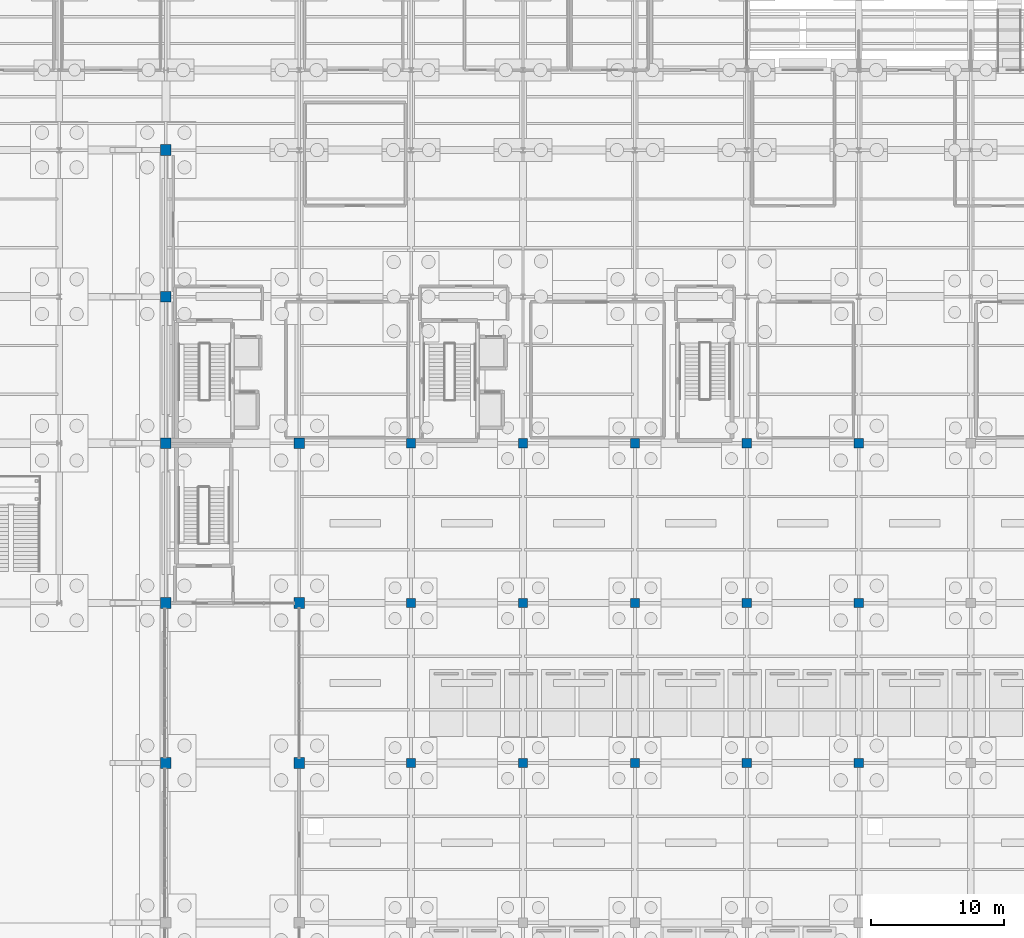
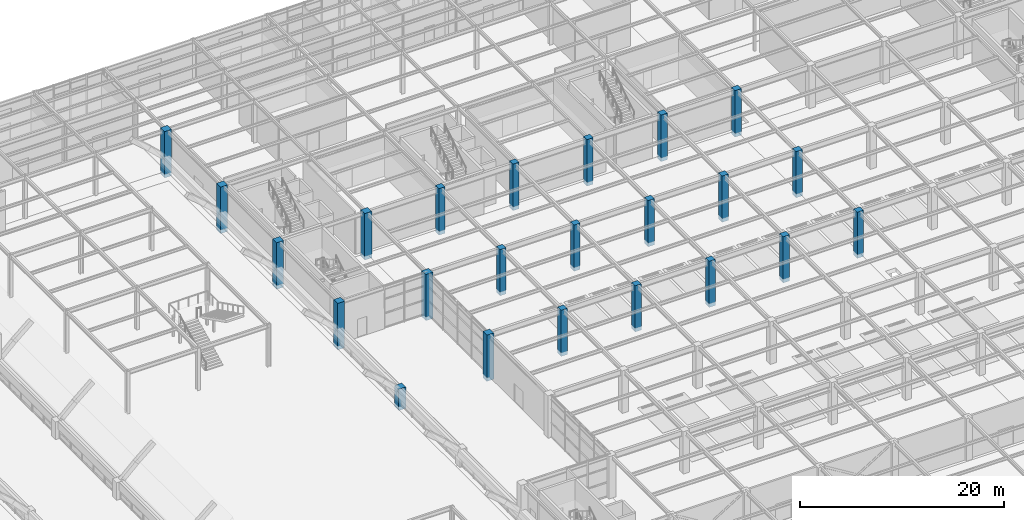
# One storey, part 24 of 129: 23 columns.
"""IFC4 building model written with IfcOpenShell, lengths in metres."""

from ifc_helpers import new_model, si_unit, direction, frame, origin, origin_2d, place, context, subcontext, project, spatial, rectangle, extrude, material, material_profile, profile_set, type_object, element, save


model = new_model("IFC4")

# Units and contexts
model_context = context("Model", 3, precision=1e-05, world=origin(), true_north=direction((0.0, 1.0)))
body_context = subcontext(model_context, "Body", "Model", "MODEL_VIEW")
ifc_project = project(units=[si_unit("LENGTHUNIT", "METRE"), si_unit("AREAUNIT", "SQUARE_METRE"), si_unit("VOLUMEUNIT", "CUBIC_METRE"), si_unit("PLANEANGLEUNIT", "RADIAN"), si_unit("MASSUNIT", "GRAM", prefix="KILO")], contexts=[model_context])

# Site, building, storey
site_placement = place(None, origin())
site = spatial("IfcSite", under=ifc_project, at=site_placement, CompositionType="ELEMENT")
building_placement = place(site_placement, origin())
building = spatial("IfcBuilding", under=site, at=building_placement, Name="Sitalva Quay Ferry Terminal", CompositionType="ELEMENT")
storey_placement = place(building_placement, origin())
storey = spatial("IfcBuildingStorey", under=building, at=storey_placement, Name="L01", CompositionType="ELEMENT", Elevation=0.0)

# Columns
ifc_material_1 = material(Name="Concrete C35/45", Category="concrete")
ifc_material_profile_1 = material_profile(ifc_material_1, rectangle(XDim=0.699951171875, YDim=0.699951171875, at=origin_2d()), Name="RC700x700")
ifc_profile_set_1 = profile_set([ifc_material_profile_1], Name="Concrete C35/45")
column_type_1 = type_object("IfcColumnType", Name="Col_RC700x700", PredefinedType="COLUMN", material=ifc_profile_set_1)
for number, where, z_axis, x_axis, name in (
    (1, (92.39990234375, 54.0, -0.449951171875), (0.0, 0.0, 1.0), (1.0, 0.0, 0.0), "L01 column 12G"),
    (2, (100.800048828125, 54.0, -0.449951171875), (0.0, 0.0, 1.0), (1.0, 0.0, 0.0), "L01 column 13G"),
    (3, (109.199951171875, 54.0, -0.449951171875), (0.0, 0.0, 1.0), (1.0, 0.0, 0.0), "L01 column 14G"),
    (4, (117.60009765625, 54.0, -0.449951171875), (0.0, 0.0, 1.0), (1.0, 0.0, 0.0), "L01 column 15G"),
    (5, (126.0, 54.0, -0.449951171875), (0.0, 0.0, 1.0), (1.0, 0.0, 0.0), "L01 column 16G"),
    (6, (92.39990234375, 66.0, -0.449951171875), (0.0, 0.0, 1.0), (1.0, 0.0, 0.0), "L01 column 12H"),
    (7, (100.800048828125, 66.0, -0.449951171875), (0.0, 0.0, 1.0), (1.0, 0.0, 0.0), "L01 column 13H"),
    (8, (109.199951171875, 66.0, -0.449951171875), (0.0, 0.0, 1.0), (1.0, 0.0, 0.0), "L01 column 14H"),
    (9, (117.60009765625, 66.0, -0.449951171875), (0.0, 0.0, 1.0), (1.0, 0.0, 0.0), "L01 column 15H"),
    (10, (126.0, 66.0, -0.449951171875), (0.0, 0.0, 1.0), (1.0, 0.0, 0.0), "L01 column 16H"),
):
    element("IfcColumn", number, at=place(storey_placement, frame(where, z_axis=z_axis, x_axis=x_axis)), inside=storey, type_object=column_type_1, Name=name, PredefinedType="COLUMN", context=body_context, shape_type="SweptSolid", body=[
        extrude(rectangle(XDim=0.699951171875, YDim=0.699951171875, at=origin_2d()), origin(), (0.0, 0.0, 1.0), 5.530029296875),
    ])
for number, where, z_axis, x_axis, name in (
    (11, (92.39990234375, 78.0, -0.449951171875), (0.0, 0.0, 1.0), (1.0, 0.0, 0.0), "L01 column 12J"),
    (12, (100.800048828125, 78.0, -0.449951171875), (0.0, 0.0, 1.0), (1.0, 0.0, 0.0), "L01 column 13J"),
    (13, (109.199951171875, 78.0, -0.449951171875), (0.0, 0.0, 1.0), (1.0, 0.0, 0.0), "L01 column 14J"),
    (14, (117.60009765625, 78.0, -0.449951171875), (0.0, 0.0, 1.0), (1.0, 0.0, 0.0), "L01 column 15J"),
    (15, (126.0, 78.0, -0.449951171875), (0.0, 0.0, 1.0), (1.0, 0.0, 0.0), "L01 column 16J"),
):
    element("IfcColumn", number, at=place(storey_placement, frame(where, z_axis=z_axis, x_axis=x_axis)), inside=storey, type_object=column_type_1, Name=name, PredefinedType="COLUMN", context=body_context, shape_type="SweptSolid", body=[
        extrude(rectangle(XDim=0.699951171875, YDim=0.699951171875, at=origin_2d()), origin(), (0.0, 0.0, 1.0), 5.570068359375),
    ])
ifc_material_2 = material(Name="Concrete C40/50", Category="concrete")
ifc_material_profile_2 = material_profile(ifc_material_2, rectangle(XDim=0.800048828125, YDim=0.800048828125, at=origin_2d()), Name="RC800x800")
ifc_profile_set_2 = profile_set([ifc_material_profile_2], Name="Concrete C40/50")
column_type_2 = type_object("IfcColumnType", Name="Col_RC800x800", PredefinedType="COLUMN", material=ifc_profile_set_2)
column_1_placement = place(storey_placement, frame((74.0, 54.0, -0.449951171875), z_axis=(0.0, 0.0, 1.0), x_axis=(1.0, 0.0, 0.0)))
element("IfcColumn", 16, at=column_1_placement, inside=storey, type_object=column_type_2, Name="L01 column 10G", PredefinedType="COLUMN", context=body_context, shape_type="SweptSolid", body=[
    extrude(rectangle(XDim=0.800048828125, YDim=0.800048828125, at=origin_2d()), origin(), (0.0, 0.0, 1.0), 2.550048828125),
])
column_2_placement = place(storey_placement, frame((84.0, 54.0, -0.449951171875), z_axis=(0.0, 0.0, 1.0), x_axis=(1.0, 0.0, 0.0)))
element("IfcColumn", 17, at=column_2_placement, inside=storey, type_object=column_type_2, Name="L01 column 11G", PredefinedType="COLUMN", context=body_context, shape_type="SweptSolid", body=[
    extrude(rectangle(XDim=0.800048828125, YDim=0.800048828125, at=origin_2d()), origin(), (0.0, 0.0, 1.0), 5.530029296875),
])
column_3_placement = place(storey_placement, frame((74.0, 66.0, -0.449951171875), z_axis=(0.0, 0.0, 1.0), x_axis=(1.0, 0.0, 0.0)))
element("IfcColumn", 18, at=column_3_placement, inside=storey, type_object=column_type_2, Name="L01 column 10H", PredefinedType="COLUMN", context=body_context, shape_type="SweptSolid", body=[
    extrude(rectangle(XDim=0.800048828125, YDim=0.800048828125, at=origin_2d()), origin(), (0.0, 0.0, 1.0), 5.570068359375),
])
column_4_placement = place(storey_placement, frame((84.0, 66.0, -0.449951171875), z_axis=(0.0, 0.0, 1.0), x_axis=(1.0, 0.0, 0.0)))
element("IfcColumn", 19, at=column_4_placement, inside=storey, type_object=column_type_2, Name="L01 column 11H", PredefinedType="COLUMN", context=body_context, shape_type="SweptSolid", body=[
    extrude(rectangle(XDim=0.800048828125, YDim=0.800048828125, at=origin_2d()), origin(), (0.0, 0.0, 1.0), 5.530029296875),
])
for number, where, z_axis, x_axis, name in (
    (20, (74.0, 78.0, -0.449951171875), (0.0, 0.0, 1.0), (1.0, 0.0, 0.0), "L01 column 10J"),
    (21, (84.0, 78.0, -0.449951171875), (0.0, 0.0, 1.0), (1.0, 0.0, 0.0), "L01 column 11J"),
    (22, (74.0, 89.0, -0.449951171875), (0.0, 0.0, 1.0), (1.0, 0.0, 0.0), "L01 column 10K"),
    (23, (74.0, 100.0, -0.449951171875), (0.0, 0.0, 1.0), (1.0, 0.0, 0.0), "L01 column 10L"),
):
    element("IfcColumn", number, at=place(storey_placement, frame(where, z_axis=z_axis, x_axis=x_axis)), inside=storey, type_object=column_type_2, Name=name, PredefinedType="COLUMN", context=body_context, shape_type="SweptSolid", body=[
        extrude(rectangle(XDim=0.800048828125, YDim=0.800048828125, at=origin_2d()), origin(), (0.0, 0.0, 1.0), 5.570068359375),
    ])

save(model, "model.ifc")
